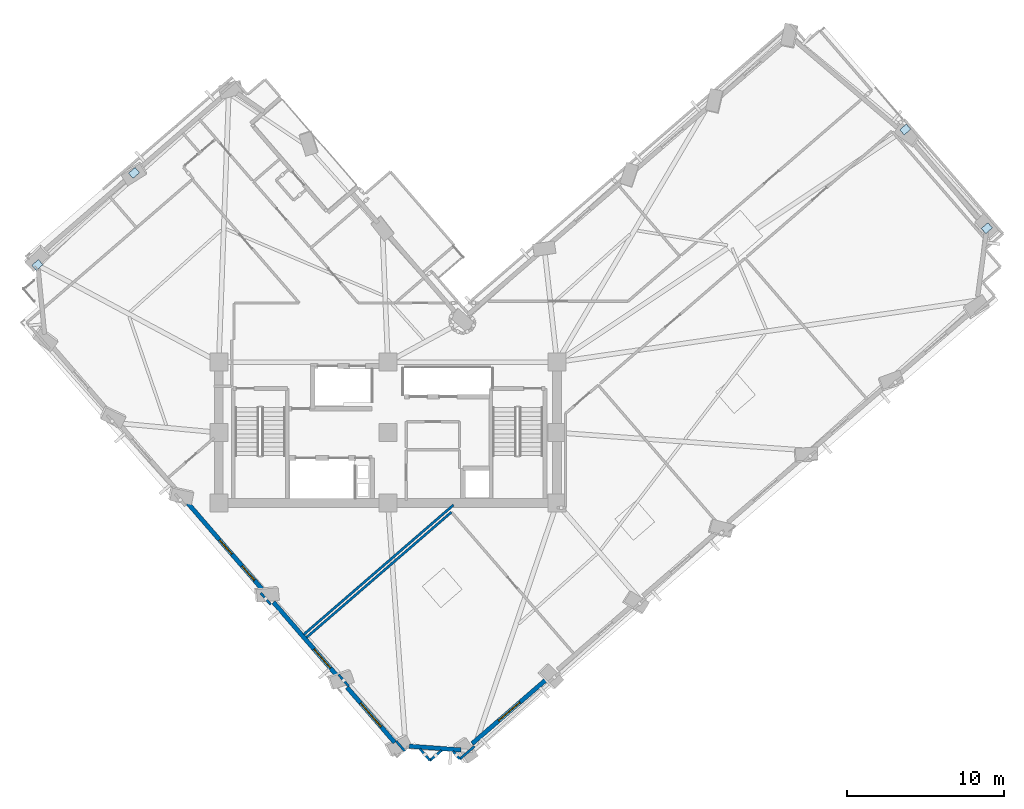
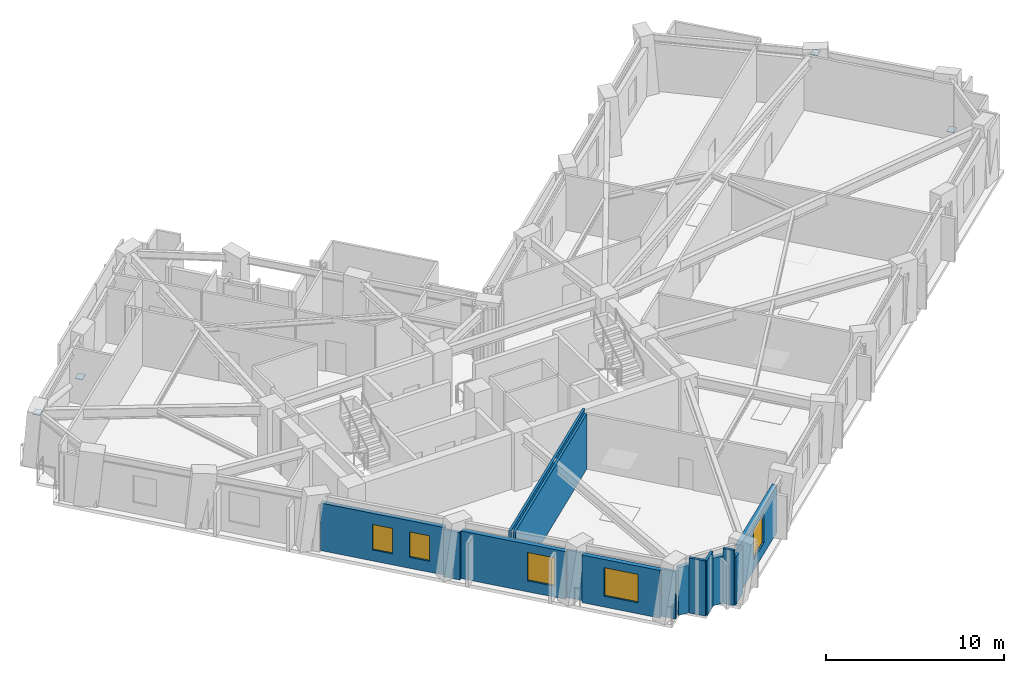
# One storey, part 5 of 14: 14 walls, 5 windows, 4 plates, 5 openings.
"""IFC4 building model written with IfcOpenShell, lengths in metres."""

from ifc_helpers import new_model, si_unit, direction, frame, frame_2d, origin, origin_2d, place, context, subcontext, project, spatial, rectangle, extrude, material, layer, layer_set, type_object, element, fill, save


model = new_model("IFC4")

# Units and contexts
model_context = context("Model", 3, precision=1e-05, world=origin(), true_north=direction((0.0, 1.0)))
body_context = subcontext(model_context, "Body", "Model", "MODEL_VIEW")
ifc_project = project(units=[si_unit("LENGTHUNIT", "METRE"), si_unit("AREAUNIT", "SQUARE_METRE"), si_unit("VOLUMEUNIT", "CUBIC_METRE"), si_unit("PLANEANGLEUNIT", "RADIAN"), si_unit("MASSUNIT", "GRAM", prefix="KILO")], contexts=[model_context])

# Site, building, storey
site_placement = place(None, origin())
site = spatial("IfcSite", under=ifc_project, at=site_placement, CompositionType="ELEMENT")
building_placement = place(site_placement, origin())
building = spatial("IfcBuilding", under=site, at=building_placement, Name="Gaonmaruhae Medical Tower", CompositionType="ELEMENT")
storey_placement = place(building_placement, frame((0.0, 0.0, 197.800048828125)))
storey = spatial("IfcBuildingStorey", under=building, at=storey_placement, Name="L47", CompositionType="ELEMENT", Elevation=197.800048828125)

# Plates
ifc_material_1 = material(Name="Steel HSA650 (650 MPa)", Category="steel")
ifc_layer_1 = layer(ifc_material_1, 0.028076171875)
ifc_layer_set_1 = layer_set([ifc_layer_1], Name="Steel HSA650 (650 MPa)")
plate_type = type_object("IfcPlateType", Name="GP-02 Tube Brace End Cap Gusset Plate", PredefinedType="USERDEFINED", material=ifc_layer_set_1)
for number, where, z_axis, x_axis, name in (
    (1, (63.0625, 25.3564453125, 0.23583984375), (0.0, 0.0, 1.0), (0.756424550435, 0.654080957909, 0.0), "L47 Gusset Cap Plate PLT-L47-PBR-E01A"),
    (2, (57.85009765625, 31.659423828125, 3.51611328125), (0.0, 0.0, 1.0), (0.745475999683, 0.666532470249, 0.0), "L47 Gusset Cap Plate PLT-L47-PBR-E01B"),
    (3, (8.586181640625, 28.883544921875, 0.23583984375), (0.0, 0.0, 1.0), (0.756424550435, 0.654080957909, 0.0), "L47 Gusset Cap Plate PLT-L47-PBR-N02A"),
    (4, (2.408935546875, 23.002685546875, 3.51611328125), (0.0, 0.0, 1.0), (0.745475999683, 0.666532470249, 0.0), "L47 Gusset Cap Plate PLT-L47-PBR-N02B"),
):
    element("IfcPlate", number, at=place(storey_placement, frame(where, z_axis=z_axis, x_axis=x_axis)), inside=storey, type_object=plate_type, Name=name, ObjectType="GUSSET_PLATE", PredefinedType="USERDEFINED", context=body_context, shape_type="SweptSolid", body=[
        extrude(rectangle(XDim=0.56005859375, YDim=0.43994140625, at=origin_2d()), origin(), (0.0, 0.0, 1.0), 0.028076171875),
    ])

# Wall, opening, window
ifc_material_2 = material(Name="Precast concrete C45/55", Category="concrete")
ifc_layer_2 = layer(ifc_material_2, 0.280029296875)
ifc_layer_set_2 = layer_set([ifc_layer_2], Name="Precast concrete C45/55")
wall_type_1 = type_object("IfcWallType", Name="EW-280 Upper Precast Masonry-Frame Facade Wall", PredefinedType="SOLIDWALL", material=ifc_layer_set_2)
wall_1_placement = place(storey_placement, frame((34.92333984375, -3.470458984375, 0.0), z_axis=(0.0, 0.0, 1.0), x_axis=(-0.756418363754, -0.654088112547, 0.0)))
wall_1 = element("IfcWall", 5, at=wall_1_placement, inside=storey, type_object=wall_type_1, Name="L47 Precast Masonry-Frame Wall S01-S02", PredefinedType="SOLIDWALL", context=body_context, shape_type="SweptSolid", body=[
    extrude(rectangle(XDim=6.27001953125, YDim=0.280029296875, at=frame_2d((3.135009765625, 0.0))), origin(), (0.0, 0.0, 1.0), 3.264892578125),
])
opening_1_placement = place(wall_1_placement, frame((2.229248046875, 0.0, 0.75)))
opening_1 = element("IfcOpeningElement", 6, at=opening_1_placement, cuts=wall_1, Name="Opening WN-04", PredefinedType="OPENING", context=body_context, shape_type="SweptSolid", body=[
    extrude(rectangle(XDim=1.800048828125, YDim=2.050048828125, at=frame_2d((0.89990234375, 1.02490234375))), frame((0.0, 0.14990234375, 0.0), z_axis=(0.0, -1.0, 0.0), x_axis=(1.0, 0.0, 0.0)), (0.0, 0.0, 1.0), 0.300048828125),
])
ifc_material_3 = material(Name="Anodised aluminium and Low-E double glazing", Category="aluminium")
window_type_1 = type_object("IfcWindowType", Name="WN-04 Clinic & Consult Punched Window 1800x2050", PartitioningType="SINGLE_PANEL", PredefinedType="WINDOW", material=ifc_material_3)
window_1_placement = place(opening_1_placement, origin())
window_1 = element("IfcWindow", 7, at=window_1_placement, inside=storey, type_object=window_type_1, Name="L47 Modular Facade Window S01", OverallHeight=2.050048828125, OverallWidth=1.800048828125, PartitioningType="SINGLE_PANEL", PredefinedType="WINDOW", context=body_context, shape_type="SweptSolid", body=[
    extrude(rectangle(XDim=1.800048828125, YDim=2.050048828125, at=frame_2d((0.89990234375, 1.02490234375))), frame((0.0, 0.030029296875, 0.0), z_axis=(0.0, -1.0, 0.0), x_axis=(1.0, 0.0, 0.0)), (0.0, 0.0, 1.0), 0.06005859375),
])
fill(opening_1, window_1)

# Wall, openings, windows
wall_2_placement = place(storey_placement, frame((16.84814453125, 2.20556640625, 0.0), z_axis=(0.0, 0.0, 1.0), x_axis=(-0.654052430164, 0.756449217461, 0.0)))
wall_2 = element("IfcWall", 8, at=wall_2_placement, inside=storey, type_object=wall_type_1, Name="L47 Precast Masonry-Frame Wall W03-W04", PredefinedType="SOLIDWALL", context=body_context, shape_type="SweptSolid", body=[
    extrude(rectangle(XDim=7.360107421875, YDim=0.280029296875, at=frame_2d((3.68017578125, 0.0))), origin(), (0.0, 0.0, 1.0), 3.264892578125),
])
opening_2_placement = place(wall_2_placement, frame((3.080810546875, 0.0, 0.75)))
opening_2 = element("IfcOpeningElement", 9, at=opening_2_placement, cuts=wall_2, Name="Opening WN-05", PredefinedType="OPENING", context=body_context, shape_type="SweptSolid", body=[
    extrude(rectangle(XDim=1.199951171875, YDim=1.75, at=frame_2d((0.60009765625, 0.875))), frame((0.0, 0.14990234375, 0.0), z_axis=(0.0, -1.0, 0.0), x_axis=(1.0, 0.0, 0.0)), (0.0, 0.0, 1.0), 0.300048828125),
])
opening_3_placement = place(wall_2_placement, frame((0.876220703125, 0.0, 0.75)))
opening_3 = element("IfcOpeningElement", 10, at=opening_3_placement, cuts=wall_2, Name="Opening WN-05", PredefinedType="OPENING", context=body_context, shape_type="SweptSolid", body=[
    extrude(rectangle(XDim=1.199951171875, YDim=1.75, at=frame_2d((0.60009765625, 0.875))), frame((0.0, 0.14990234375, 0.0), z_axis=(0.0, -1.0, 0.0), x_axis=(1.0, 0.0, 0.0)), (0.0, 0.0, 1.0), 0.300048828125),
])
window_type_2 = type_object("IfcWindowType", Name="WN-05 Support & Staff Punched Window 1200x1750", PartitioningType="SINGLE_PANEL", PredefinedType="WINDOW", material=ifc_material_3)
window_2_placement = place(opening_2_placement, origin())
window_2 = element("IfcWindow", 11, at=window_2_placement, inside=storey, type_object=window_type_2, Name="L47 Modular Facade Window W03", OverallHeight=1.75, OverallWidth=1.199951171875, PartitioningType="SINGLE_PANEL", PredefinedType="WINDOW", context=body_context, shape_type="SweptSolid", body=[
    extrude(rectangle(XDim=1.199951171875, YDim=1.75, at=frame_2d((0.60009765625, 0.875))), frame((0.0, 0.030029296875, 0.0), z_axis=(0.0, -1.0, 0.0), x_axis=(1.0, 0.0, 0.0)), (0.0, 0.0, 1.0), 0.06005859375),
])
fill(opening_2, window_2)
window_3_placement = place(opening_3_placement, origin())
window_3 = element("IfcWindow", 12, at=window_3_placement, inside=storey, type_object=window_type_2, Name="L47 Modular Facade Window W03B", OverallHeight=1.75, OverallWidth=1.199951171875, PartitioningType="SINGLE_PANEL", PredefinedType="WINDOW", context=body_context, shape_type="SweptSolid", body=[
    extrude(rectangle(XDim=1.199951171875, YDim=1.75, at=frame_2d((0.60009765625, 0.875))), frame((0.0, 0.030029296875, 0.0), z_axis=(0.0, -1.0, 0.0), x_axis=(1.0, 0.0, 0.0)), (0.0, 0.0, 1.0), 0.06005859375),
])
fill(opening_3, window_3)

# Wall, opening, window
wall_3_placement = place(storey_placement, frame((21.564208984375, -3.248046875, 0.0), z_axis=(0.0, 0.0, 1.0), x_axis=(-0.654099768482, 0.756408284507, 0.0)))
wall_3 = element("IfcWall", 13, at=wall_3_placement, inside=storey, type_object=wall_type_1, Name="L47 Precast Masonry-Frame Wall W04-W05", PredefinedType="SOLIDWALL", context=body_context, shape_type="SweptSolid", body=[
    extrude(rectangle(XDim=6.2236328125, YDim=0.280029296875, at=frame_2d((3.11181640625, 0.0))), origin(), (0.0, 0.0, 1.0), 3.264892578125),
])
opening_4_placement = place(wall_3_placement, frame((0.670166015625, 0.0, 0.75)))
opening_4 = element("IfcOpeningElement", 14, at=opening_4_placement, cuts=wall_3, Name="Opening WN-01", PredefinedType="OPENING", context=body_context, shape_type="SweptSolid", body=[
    extrude(rectangle(XDim=1.60009765625, YDim=1.949951171875, at=frame_2d((0.800048828125, 0.97509765625))), frame((0.0, 0.14990234375, 0.0), z_axis=(0.0, -1.0, 0.0), x_axis=(1.0, 0.0, 0.0)), (0.0, 0.0, 1.0), 0.300048828125),
])
window_type_3 = type_object("IfcWindowType", Name="WN-01 Ward Punched Acoustic Window 1600x1950", PartitioningType="SINGLE_PANEL", PredefinedType="WINDOW", material=ifc_material_3)
window_4_placement = place(opening_4_placement, origin())
window_4 = element("IfcWindow", 15, at=window_4_placement, inside=storey, type_object=window_type_3, Name="L47 Modular Facade Window W04", OverallHeight=1.949951171875, OverallWidth=1.60009765625, PartitioningType="SINGLE_PANEL", PredefinedType="WINDOW", context=body_context, shape_type="SweptSolid", body=[
    extrude(rectangle(XDim=1.60009765625, YDim=1.949951171875, at=frame_2d((0.800048828125, 0.97509765625))), frame((0.0, 0.030029296875, 0.0), z_axis=(0.0, -1.0, 0.0), x_axis=(1.0, 0.0, 0.0)), (0.0, 0.0, 1.0), 0.06005859375),
])
fill(opening_4, window_4)

wall_4_placement = place(storey_placement, frame((25.235595703125, -7.493896484375, 0.0), z_axis=(0.0, 0.0, 1.0), x_axis=(-0.654086138204, 0.756420070998, 0.0)))
wall_4 = element("IfcWall", 16, at=wall_4_placement, inside=storey, type_object=wall_type_1, Name="L47 Precast Masonry-Frame Wall W05-W06", PredefinedType="SOLIDWALL", context=body_context, shape_type="SweptSolid", body=[
    extrude(rectangle(XDim=4.6474609375, YDim=0.280029296875, at=frame_2d((2.32373046875, 0.0))), origin(), (0.0, 0.0, 1.0), 3.264892578125),
])
opening_5_placement = place(wall_4_placement, frame((1.3271484375, 0.0, 0.75)))
opening_5 = element("IfcOpeningElement", 17, at=opening_5_placement, cuts=wall_4, Name="Opening WN-02", PredefinedType="OPENING", context=body_context, shape_type="SweptSolid", body=[
    extrude(rectangle(XDim=2.0, YDim=1.949951171875, at=frame_2d((1.0, 0.97509765625))), frame((0.0, 0.14990234375, 0.0), z_axis=(0.0, -1.0, 0.0), x_axis=(1.0, 0.0, 0.0)), (0.0, 0.0, 1.0), 0.300048828125),
])
window_type_4 = type_object("IfcWindowType", Name="WN-02 Double-Bed Ward Punched Window 2000x1950", PartitioningType="SINGLE_PANEL", PredefinedType="WINDOW", material=ifc_material_3)
window_5_placement = place(opening_5_placement, origin())
window_5 = element("IfcWindow", 18, at=window_5_placement, inside=storey, type_object=window_type_4, Name="L47 Modular Facade Window W05", OverallHeight=1.949951171875, OverallWidth=2.0, PartitioningType="SINGLE_PANEL", PredefinedType="WINDOW", context=body_context, shape_type="SweptSolid", body=[
    extrude(rectangle(XDim=2.0, YDim=1.949951171875, at=frame_2d((1.0, 0.97509765625))), frame((0.0, 0.030029296875, 0.0), z_axis=(0.0, -1.0, 0.0), x_axis=(1.0, 0.0, 0.0)), (0.0, 0.0, 1.0), 0.06005859375),
])
fill(opening_5, window_5)

# Walls
wall_5_placement = place(storey_placement, frame((29.474609375, -7.973876953125, 0.0), z_axis=(0.0, 0.0, 1.0), x_axis=(-0.997377883309, 0.07236959227, 0.0)))
element("IfcWall", 19, at=wall_5_placement, inside=storey, type_object=wall_type_1, Name="L47 Precast Masonry-Frame Wall W06-S01", PredefinedType="SOLIDWALL", context=body_context, shape_type="SweptSolid", body=[
    extrude(rectangle(XDim=3.322998046875, YDim=0.280029296875, at=frame_2d((1.66162109375, 0.0))), origin(), (0.0, 0.0, 1.0), 3.264892578125),
])
ifc_material_4 = material(Name="Gypsum board partition", Category="gypsum")
ifc_layer_3 = layer(ifc_material_4, 0.14990234375)
ifc_layer_set_3 = layer_set([ifc_layer_3], Name="Gypsum board partition")
wall_type_2 = type_object("IfcWallType", Name="PW-150 Rated Clinical Corridor Partition", PredefinedType="PARTITIONING", material=ifc_layer_set_3)
wall_6_placement = place(storey_placement, frame((27.487060546875, -8.64501953125, 0.0), z_axis=(0.0, 0.0, 1.0), x_axis=(-0.654083132411, 0.756422670136, 0.0)))
element("IfcWall", 20, at=wall_6_placement, inside=storey, type_object=wall_type_2, Name="L47 Interior Partition L47-SUP01-7", PredefinedType="PARTITIONING", context=body_context, shape_type="SweptSolid", body=[
    extrude(rectangle(XDim=0.987548828125, YDim=0.14990234375, at=frame_2d((0.49365234375, 0.0))), origin(), (0.0, 0.0, 1.0), 3.780029296875),
])
wall_7_placement = place(storey_placement, frame((25.882080078125, -8.050048828125, 0.0), z_axis=(0.0, 0.0, 1.0), x_axis=(-0.65433537425, 0.756204481608, 0.0)))
element("IfcWall", 21, at=wall_7_placement, inside=storey, type_object=wall_type_2, Name="L47 Interior Partition L47-SUP01-8", PredefinedType="PARTITIONING", context=body_context, shape_type="SweptSolid", body=[
    extrude(rectangle(XDim=0.843505859375, YDim=0.14990234375, at=frame_2d((0.421875, 0.0))), origin(), (0.0, 0.0, 1.0), 3.264892578125),
])
wall_8_placement = place(storey_placement, frame((22.2900390625, -3.89697265625, 0.0), z_axis=(0.0, 0.0, 1.0), x_axis=(-0.653514551337, 0.756913952303, 0.0)))
element("IfcWall", 22, at=wall_8_placement, inside=storey, type_object=wall_type_2, Name="L47 Interior Partition L47-SUP01-9", PredefinedType="PARTITIONING", context=body_context, shape_type="SweptSolid", body=[
    extrude(rectangle(XDim=0.9658203125, YDim=0.14990234375, at=frame_2d((0.48291015625, 0.0))), origin(), (0.0, 0.0, 1.0), 3.264892578125),
])
wall_9_placement = place(storey_placement, frame((19.60205078125, -0.7880859375, 0.0), z_axis=(0.0, 0.0, 1.0), x_axis=(0.756432248101, 0.654072055688, 0.0)))
element("IfcWall", 23, at=wall_9_placement, inside=storey, type_object=wall_type_2, Name="L47 Interior Partition L47-SUP01-10", PredefinedType="PARTITIONING", context=body_context, shape_type="SweptSolid", body=[
    extrude(rectangle(XDim=12.240478515625, YDim=0.14990234375, at=frame_2d((6.1201171875, 0.0))), origin(), (0.0, 0.0, 1.0), 3.780029296875),
])
wall_10_placement = place(storey_placement, frame((30.3310546875, -7.7451171875, 0.0), z_axis=(0.0, 0.0, 1.0), x_axis=(-0.756539568418, -0.653947919499, 0.0)))
element("IfcWall", 24, at=wall_10_placement, inside=storey, type_object=wall_type_2, Name="L47 Interior Partition L47-SUP01-13", PredefinedType="PARTITIONING", context=body_context, shape_type="SweptSolid", body=[
    extrude(rectangle(XDim=1.23974609375, YDim=0.14990234375, at=frame_2d((0.619873046875, 0.0))), origin(), (0.0, 0.0, 1.0), 3.264892578125),
])
wall_11_placement = place(storey_placement, frame((29.39306640625, -8.555908203125, 0.0), z_axis=(0.0, 0.0, 1.0), x_axis=(-0.655181330346, 0.755471656891, 0.0)))
element("IfcWall", 25, at=wall_11_placement, inside=storey, type_object=wall_type_2, Name="L47 Interior Partition L47-SUP01-14", PredefinedType="PARTITIONING", context=body_context, shape_type="SweptSolid", body=[
    extrude(rectangle(XDim=0.6669921875, YDim=0.14990234375, at=frame_2d((0.33349609375, 0.0))), origin(), (0.0, 0.0, 1.0), 3.780029296875),
])
wall_12_placement = place(storey_placement, frame((28.23388671875, -7.9990234375, 0.0), z_axis=(0.0, 0.0, 1.0), x_axis=(-0.756316883495, -0.654205450712, 0.0)))
element("IfcWall", 26, at=wall_12_placement, inside=storey, type_object=wall_type_2, Name="L47 Interior Partition L47-SUP01-15", PredefinedType="PARTITIONING", context=body_context, shape_type="SweptSolid", body=[
    extrude(rectangle(XDim=0.987548828125, YDim=0.14990234375, at=frame_2d((0.49365234375, 0.0))), origin(), (0.0, 0.0, 1.0), 3.780029296875),
])
wall_13_placement = place(storey_placement, frame((28.991943359375, 7.675048828125, 0.0), z_axis=(0.0, 0.0, 1.0), x_axis=(-0.756407052187, -0.654101193549, 0.0)))
element("IfcWall", 27, at=wall_13_placement, inside=storey, type_object=wall_type_2, Name="L47 Interior Partition L47-WOF05-32", PredefinedType="PARTITIONING", context=body_context, shape_type="SweptSolid", body=[
    extrude(rectangle(XDim=12.647705078125, YDim=0.14990234375, at=frame_2d((6.32373046875, 0.0))), origin(), (0.0, 0.0, 1.0), 3.780029296875),
])
wall_14_placement = place(storey_placement, frame((17.319091796875, 1.30908203125, 0.0), z_axis=(0.0, 0.0, 1.0), x_axis=(-0.654128963696, 0.756383037127, 0.0)))
element("IfcWall", 28, at=wall_14_placement, inside=storey, type_object=wall_type_2, Name="L47 Interior Partition L47-WOF05-33", PredefinedType="PARTITIONING", context=body_context, shape_type="SweptSolid", body=[
    extrude(rectangle(XDim=0.986083984375, YDim=0.14990234375, at=frame_2d((0.4931640625, 0.0))), origin(), (0.0, 0.0, 1.0), 3.264892578125),
])

save(model, "model.ifc")
